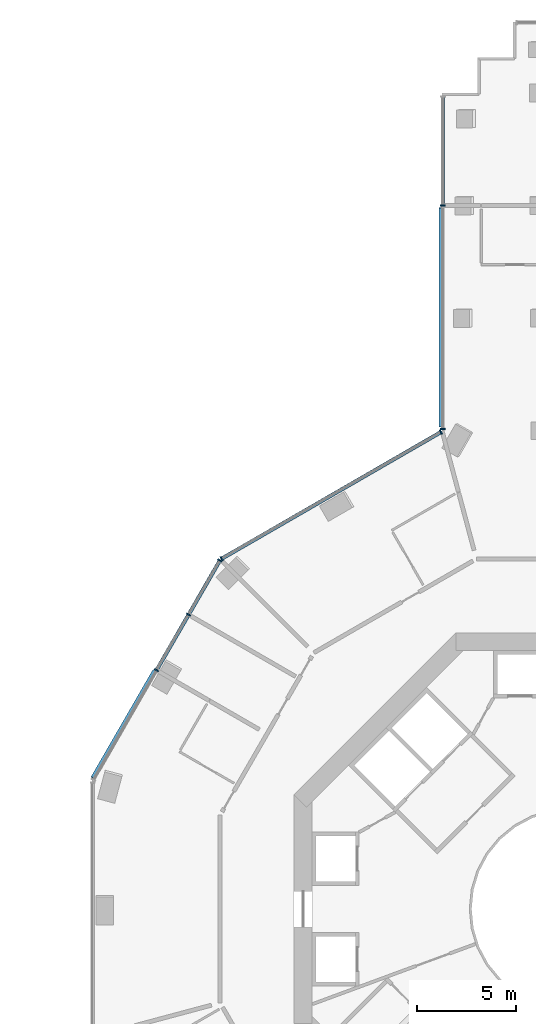
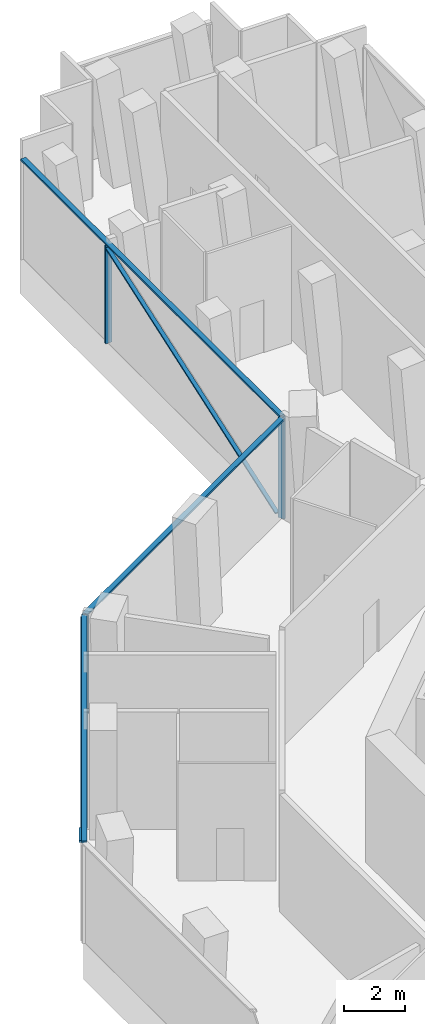
# One storey, part 4 of 16: 12 members, 3 elements without a shape of their own.
"""IFC4 building model written with IfcOpenShell, lengths in metres."""

import ifcopenshell
import ifcopenshell.guid

model = None  # the IFC model being written
_history = None  # IfcOwnerHistory: only IFC2X3 demands one
_inside = {}  # id of a spatial element -> (the spatial element, [elements in it])
_under = {}  # id of a project, library or spatial element -> (it, [spatial elements below it])
_declared = {}  # id of a project -> (the project, [libraries it declares])
_typed = {}  # id of a type object -> (the type object, [elements of that type])
_made_of = {}  # id of a material, layer set ... -> (it, [elements and type objects made of it])


def new_model(schema):
    """Start an empty IFC model of exactly this schema.

    Asked for "IFC4X3", IfcOpenShell would pick the latest addendum, in which some entities
    have other attributes; the version numbers below select the first issue.
    IFC2X3 requires an IfcOwnerHistory on every rooted entity: one is made here for all.
    """
    global model, _history
    if schema == "IFC4X3":
        model = ifcopenshell.file(schema_version=(4, 3, 0, 0))
    else:
        model = ifcopenshell.file(schema=schema)
    _inside.clear()
    _under.clear()
    _declared.clear()
    _typed.clear()
    _made_of.clear()
    _history = None
    if model.schema == "IFC2X3":
        org = make("IfcOrganization", Name="unknown")
        user = make(
            "IfcPersonAndOrganization",
            ThePerson=make("IfcPerson", FamilyName="unknown"),
            TheOrganization=org,
        )
        app = make(
            "IfcApplication",
            ApplicationDeveloper=org,
            Version="unknown",
            ApplicationFullName="unknown",
            ApplicationIdentifier="unknown",
        )
        _history = make(
            "IfcOwnerHistory",
            OwningUser=user,
            OwningApplication=app,
            ChangeAction="ADDED",
            CreationDate=0,
        )
    return model


def make(cls, **values):
    """One entity of the class cls with the attributes given. An attribute that is None is left unset."""
    return model.create_entity(
        cls, **{name: value for name, value in values.items() if value is not None}
    )


def rooted(cls, **values):
    """An entity with a GlobalId (a new one), such as an element, a storey or a relation."""
    return make(cls, GlobalId=ifcopenshell.guid.new(), OwnerHistory=_history, **values)


def si_unit(unit_type, name, prefix=None):
    """IfcSIUnit, for example si_unit("LENGTHUNIT", "METRE", prefix="MILLI")."""
    return make("IfcSIUnit", UnitType=unit_type, Prefix=prefix, Name=name)


def assignment(units):
    """IfcUnitAssignment: the units of a project."""
    return None if units is None else make("IfcUnitAssignment", Units=units)


def point(xyz):
    """IfcCartesianPoint."""
    return None if xyz is None else make("IfcCartesianPoint", Coordinates=xyz)


def direction(xyz):
    """IfcDirection."""
    return None if xyz is None else make("IfcDirection", DirectionRatios=xyz)


def frame(location, z_axis=None, x_axis=None):
    """IfcAxis2Placement3D, a coordinate frame: its origin and axes. An axis left out is left unset."""
    return make(
        "IfcAxis2Placement3D",
        Location=point(location),
        Axis=direction(z_axis),
        RefDirection=direction(x_axis),
    )


def frame_2d(location, x_axis=None):
    """IfcAxis2Placement2D, a coordinate frame in the plane: its origin and x axis."""
    return make(
        "IfcAxis2Placement2D", Location=point(location), RefDirection=direction(x_axis)
    )


def origin():
    """The frame at (0, 0, 0) with its axes left unset."""
    return frame((0.0, 0.0, 0.0))


def origin_2d():
    """The frame at (0, 0) in the plane with its x axis left unset."""
    return frame_2d((0.0, 0.0))


def place(relative_to, where):
    """IfcLocalPlacement: puts the frame where relative to a parent placement (None: the world)."""
    return make(
        "IfcLocalPlacement", PlacementRelTo=relative_to, RelativePlacement=where
    )


def context(
    kind, dimensions, precision=None, world=None, true_north=None, identifier=None
):
    """IfcGeometricRepresentationContext, for example the 3D "Model" context."""
    return make(
        "IfcGeometricRepresentationContext",
        ContextIdentifier=identifier,
        ContextType=kind,
        CoordinateSpaceDimension=dimensions,
        Precision=precision,
        WorldCoordinateSystem=world,
        TrueNorth=true_north,
    )


def subcontext(parent, identifier, kind, view, scale=None):
    """IfcGeometricRepresentationSubContext, for example "Body" below "Model"."""
    return make(
        "IfcGeometricRepresentationSubContext",
        ContextIdentifier=identifier,
        ContextType=kind,
        ParentContext=parent,
        TargetScale=scale,
        TargetView=view,
    )


def project(units=None, contexts=None):
    """IfcProject with its units and contexts."""
    return rooted(
        "IfcProject",
        Name="project",
        RepresentationContexts=contexts,
        UnitsInContext=assignment(units),
    )


def spatial(cls, under=None, at=None, **own):
    """A site, building, storey or space (cls), placed at a placement, below another one or the project."""
    s = rooted(cls, ObjectPlacement=at, **own)
    if under is not None:
        _under.setdefault(under.id(), (under, []))[1].append(s)
    return s


def profile(cls, at=None, kind="AREA", **sizes):
    """A parametric profile (cls). Its sizes go by their IFC names, for example OverallWidth=200.0."""
    return make(cls, ProfileType=kind, Position=at, **sizes)


def rectangle(**sizes):
    """IfcRectangleProfileDef."""
    return profile("IfcRectangleProfileDef", **sizes)


def extrude(swept, where, along, depth):
    """IfcExtrudedAreaSolid: the profile swept, set in the frame where, extruded along a direction by depth."""
    return make(
        "IfcExtrudedAreaSolid",
        SweptArea=swept,
        Position=where,
        ExtrudedDirection=direction(along),
        Depth=depth,
    )


def shape(context_of_items, identifier, shape_type, items):
    """IfcShapeRepresentation: the items that make up one representation, for example the "Body"."""
    return make(
        "IfcShapeRepresentation",
        ContextOfItems=context_of_items,
        RepresentationIdentifier=identifier,
        RepresentationType=shape_type,
        Items=items,
    )


def material(Name=None, Category=None):
    """IfcMaterial."""
    return make("IfcMaterial", Name=Name, Category=Category)


def layer(
    of_material, thickness, ventilated=None, Name=None, Category=None, Priority=None
):
    """IfcMaterialLayer: one layer of a wall or slab, of a material (None: an air gap)."""
    return make(
        "IfcMaterialLayer",
        Material=of_material,
        LayerThickness=thickness,
        IsVentilated=ventilated,
        Name=Name,
        Category=Category,
        Priority=Priority,
    )


def layer_set(layers, Name=None):
    """IfcMaterialLayerSet."""
    return make("IfcMaterialLayerSet", MaterialLayers=layers, LayerSetName=Name)


def material_profile(
    of_material, cross_section, Name=None, Category=None, Priority=None
):
    """IfcMaterialProfile: a cross section and its material."""
    return make(
        "IfcMaterialProfile",
        Name=Name,
        Material=of_material,
        Profile=cross_section,
        Priority=Priority,
        Category=Category,
    )


def profile_set(profiles, Name=None, composite=None):
    """IfcMaterialProfileSet."""
    return make(
        "IfcMaterialProfileSet",
        Name=Name,
        MaterialProfiles=profiles,
        CompositeProfile=composite,
    )


def made_of(thing, what):
    """Note that an element or type object is made of a material, layer set ...; save() writes the relation."""
    if what is not None:
        _made_of.setdefault(what.id(), (what, []))[1].append(thing)
    return thing


def type_object(cls, material=None, **own):
    """A type object (cls), such as IfcWallType, which elements share."""
    return made_of(rooted(cls, **own), material)


def element(
    cls,
    number,
    at=None,
    inside=None,
    cuts=None,
    type_object=None,
    material=None,
    context=None,
    identifier="Body",
    shape_type=None,
    held_by="IfcProductDefinitionShape",
    body=None,
    shapes=None,
    **own,
):
    """One element of the class cls, such as IfcWall. Its Tag is "e" and its number.

    at: its placement. inside: the storey or other place that contains it. cuts: it is an
    opening in that element (IfcRelVoidsElement). A single representation is given by context,
    identifier, shape_type and body (its items); several are given by shapes. held_by: the class
    of the entity that holds the representations. save() writes the other relations.
    """
    e = rooted(cls, Tag="e%d" % number, ObjectPlacement=at, **own)
    if body is not None:
        shapes = [shape(context, identifier, shape_type, body)]
    if shapes is not None:
        e.Representation = make(held_by, Representations=shapes)
    if inside is not None:
        _inside.setdefault(inside.id(), (inside, []))[1].append(e)
    if cuts is not None:
        rooted(
            "IfcRelVoidsElement", RelatingBuildingElement=cuts, RelatedOpeningElement=e
        )
    if type_object is not None:
        _typed.setdefault(type_object.id(), (type_object, []))[1].append(e)
    return made_of(e, material)


def aggregate(whole, parts):
    """IfcRelAggregates: a whole, such as a stair, and the parts it consists of."""
    return rooted("IfcRelAggregates", RelatingObject=whole, RelatedObjects=parts)


def save(model, path):
    """Write the relations noted so far, then the file.

    IfcRelAggregates (storeys below a building ...), IfcRelContainedInSpatialStructure (elements
    in a storey), IfcRelDefinesByType, IfcRelAssociatesMaterial and IfcRelDeclares: one each for
    every whole, place, type object, material and project.
    """
    for whole, parts in _under.values():
        aggregate(whole, parts)
    for where, things in _inside.values():
        rooted(
            "IfcRelContainedInSpatialStructure",
            RelatedElements=things,
            RelatingStructure=where,
        )
    for kind, things in _typed.values():
        rooted("IfcRelDefinesByType", RelatedObjects=things, RelatingType=kind)
    for what, things in _made_of.values():
        rooted("IfcRelAssociatesMaterial", RelatedObjects=things, RelatingMaterial=what)
    for by, libraries in _declared.values():
        rooted("IfcRelDeclares", RelatingContext=by, RelatedDefinitions=libraries)
    model.write(path)


model = new_model("IFC4")

# Units and contexts
model_context = context("Model", 3, precision=1e-05, world=origin(), true_north=direction((0.0, 1.0)))
body_context = subcontext(model_context, "Body", "Model", "MODEL_VIEW")
ifc_project = project(units=[si_unit("LENGTHUNIT", "METRE"), si_unit("AREAUNIT", "SQUARE_METRE"), si_unit("VOLUMEUNIT", "CUBIC_METRE"), si_unit("PLANEANGLEUNIT", "RADIAN"), si_unit("MASSUNIT", "GRAM", prefix="KILO")], contexts=[model_context])

# Site, building, storey
site_placement = place(None, origin())
site = spatial("IfcSite", under=ifc_project, at=site_placement, CompositionType="ELEMENT")
building_placement = place(site_placement, origin())
building = spatial("IfcBuilding", under=site, at=building_placement, Name="Verdalira Terraces Hotel", CompositionType="ELEMENT")
storey_placement = place(building_placement, frame((0.0, 0.0, 34.0)))
storey = spatial("IfcBuildingStorey", under=building, at=storey_placement, Name="L06", CompositionType="ELEMENT", Elevation=34.0)

# Curtain wall, members
ifc_material_1 = material(Name="Clear glass", Category="glass")
ifc_layer = layer(ifc_material_1, 0.239990234375)
ifc_layer_set = layer_set([ifc_layer], Name="CW5 curtain wall")
curtain_wall_type = type_object("IfcCurtainWallType", Name="CW5 curtain wall", PredefinedType="NOTDEFINED", material=ifc_layer_set)
curtain_wall_1_placement = place(storey_placement, origin())
curtain_wall_1 = element("IfcCurtainWall", 1, at=curtain_wall_1_placement, inside=storey, type_object=curtain_wall_type, Name="CW5 curtain wall L06 edge 10", PredefinedType="NOTDEFINED")
ifc_material_2 = material(Name="Terracotta frame", Category="masonry")
ifc_material_profile_1 = material_profile(ifc_material_2, rectangle(XDim=0.070068, YDim=0.23999, at=origin_2d()), Name="MU 70x240")
ifc_profile_set_1 = profile_set([ifc_material_profile_1], Name="Terracotta frame")
member_type_1 = type_object("IfcMemberType", Name="CW5 mullion 70x240", PredefinedType="MULLION", material=ifc_profile_set_1)
member_1_placement = place(storey_placement, frame((-6.469971, 35.686035, 0.0), z_axis=(0.0, 0.0, 1.0), x_axis=(0.0, -1.0, 0.0)))
member_1 = element("IfcMember", 2, at=member_1_placement, type_object=member_type_1, Name="CW5 mullion", PredefinedType="MULLION", context=body_context, shape_type="SweptSolid", body=[
    extrude(rectangle(XDim=0.070068, YDim=0.23999, at=origin_2d()), origin(), (0.0, 0.0, 1.0), 3.915039),
])
member_2_placement = place(storey_placement, frame((-6.469971, 24.345215, 0.0), z_axis=(0.0, 0.0, 1.0), x_axis=(0.0, -1.0, 0.0)))
member_2 = element("IfcMember", 3, at=member_2_placement, type_object=member_type_1, Name="CW5 mullion", PredefinedType="MULLION", context=body_context, shape_type="SweptSolid", body=[
    extrude(rectangle(XDim=0.070068, YDim=0.23999, at=origin_2d()), origin(), (0.0, 0.0, 1.0), 3.915039),
])

curtain_wall_2_placement = place(storey_placement, origin())
curtain_wall_2 = element("IfcCurtainWall", 4, at=curtain_wall_2_placement, inside=storey, type_object=curtain_wall_type, Name="CW5 curtain wall L06 edge 11", PredefinedType="NOTDEFINED")
member_3_placement = place(storey_placement, frame((-6.560303, 24.188965, 0.0), z_axis=(0.0, 0.0, 1.0), x_axis=(-0.866025404, -0.5, 0.0)))
member_3 = element("IfcMember", 5, at=member_3_placement, type_object=member_type_1, Name="CW5 mullion", PredefinedType="MULLION", context=body_context, shape_type="SweptSolid", body=[
    extrude(rectangle(XDim=0.070068, YDim=0.23999, at=origin_2d()), origin(), (0.0, 0.0, 1.0), 3.915039),
])
member_4_placement = place(storey_placement, frame((-17.678223, 17.77002, 0.0), z_axis=(0.0, 0.0, 1.0), x_axis=(-0.866025404, -0.5, 0.0)))
member_4 = element("IfcMember", 6, at=member_4_placement, type_object=member_type_1, Name="CW5 mullion", PredefinedType="MULLION", context=body_context, shape_type="SweptSolid", body=[
    extrude(rectangle(XDim=0.070068, YDim=0.23999, at=origin_2d()), origin(), (0.0, 0.0, 1.0), 3.915039),
])

curtain_wall_3_placement = place(storey_placement, origin())
curtain_wall_3 = element("IfcCurtainWall", 7, at=curtain_wall_3_placement, inside=storey, type_object=curtain_wall_type, Name="CW5 curtain wall L06 edge 12", PredefinedType="NOTDEFINED")
member_5_placement = place(storey_placement, frame((-17.77002, 17.678223, 0.0), z_axis=(0.0, 0.0, 1.0), x_axis=(-0.5, -0.866025404, 0.0)))
member_5 = element("IfcMember", 8, at=member_5_placement, type_object=member_type_1, Name="CW5 mullion", PredefinedType="MULLION", context=body_context, shape_type="SweptSolid", body=[
    extrude(rectangle(XDim=0.070068, YDim=0.23999, at=origin_2d()), origin(), (0.0, 0.0, 1.0), 3.915039),
])
member_6_placement = place(storey_placement, frame((-19.357422, 14.928711, 0.0), z_axis=(0.0, 0.0, 1.0), x_axis=(-0.5, -0.866025404, 0.0)))
member_6 = element("IfcMember", 9, at=member_6_placement, type_object=member_type_1, Name="CW5 mullion", PredefinedType="MULLION", context=body_context, shape_type="SweptSolid", body=[
    extrude(rectangle(XDim=0.070068, YDim=0.23999, at=origin_2d()), origin(), (0.0, 0.0, 1.0), 3.915039),
])
member_7_placement = place(storey_placement, frame((-20.982422, 12.114258, 0.0), z_axis=(0.0, 0.0, 1.0), x_axis=(-0.5, -0.866025404, 0.0)))
member_7 = element("IfcMember", 10, at=member_7_placement, type_object=member_type_1, Name="CW5 mullion", PredefinedType="MULLION", context=body_context, shape_type="SweptSolid", body=[
    extrude(rectangle(XDim=0.070068, YDim=0.23999, at=origin_2d()), origin(), (0.0, 0.0, 1.0), 3.915039),
])

# Member
ifc_material_3 = material(Name="Terracotta frame", Category="masonry")
ifc_material_profile_2 = material_profile(ifc_material_3, rectangle(XDim=0.189941, YDim=0.074951, at=origin_2d()), Name="TR 75x190")
ifc_profile_set_2 = profile_set([ifc_material_profile_2], Name="Terracotta frame")
member_type_2 = type_object("IfcMemberType", Name="CW5 transom 75x190", PredefinedType="USERDEFINED", material=ifc_profile_set_2)
member_8_placement = place(storey_placement, frame((-6.469971, 41.25, 3.952393), z_axis=(0.0, -1.0, 0.0), x_axis=(1.0, 0.0, 0.0)))
member_8 = element("IfcMember", 11, at=member_8_placement, type_object=member_type_2, Name="CW5 transom", ObjectType="TRANSOM", PredefinedType="USERDEFINED", context=body_context, shape_type="SweptSolid", body=[
    extrude(rectangle(XDim=0.189941, YDim=0.074951, at=origin_2d()), origin(), (0.0, 0.0, 1.0), 16.939697),
])

member_9_placement = place(storey_placement, frame((-6.530029, 24.206299, 3.952393), z_axis=(-0.866026524, -0.49999806, 0.0), x_axis=(0.49999806, -0.866026524, 0.0)))
member_9 = element("IfcMember", 12, at=member_9_placement, type_object=member_type_2, Name="CW5 transom", ObjectType="TRANSOM", PredefinedType="USERDEFINED", context=body_context, shape_type="SweptSolid", body=[
    extrude(rectangle(XDim=0.189941, YDim=0.074951, at=origin_2d()), origin(), (0.0, 0.0, 1.0), 12.907715),
])

aggregate(curtain_wall_2, [member_3, member_4, member_9])

member_10_placement = place(storey_placement, frame((-17.752441, 17.708496, 3.952393), z_axis=(-0.499994537, -0.866028558, 0.0), x_axis=(0.866028558, -0.499994537, 0.0)))
member_10 = element("IfcMember", 13, at=member_10_placement, type_object=member_type_2, Name="CW5 transom", ObjectType="TRANSOM", PredefinedType="USERDEFINED", context=body_context, shape_type="SweptSolid", body=[
    extrude(rectangle(XDim=0.189941, YDim=0.074951, at=origin_2d()), origin(), (0.0, 0.0, 1.0), 12.919678),
])

ifc_material_4 = material(Name="Terracotta frame", Category="masonry")
ifc_material_profile_3 = material_profile(ifc_material_4, rectangle(XDim=0.149902, YDim=0.060059, at=origin_2d()), Name="GB 60x150")
ifc_profile_set_3 = profile_set([ifc_material_profile_3], Name="Terracotta frame")
member_type_3 = type_object("IfcMemberType", Name="Diagonal glazing bar 60x150", PredefinedType="USERDEFINED", material=ifc_profile_set_3)
member_11_placement = place(storey_placement, frame((-6.566895, 35.567627, 3.885986), z_axis=(0.0, -0.944635132, -0.328122641), x_axis=(1.0, 0.0, 0.0)))
member_11 = element("IfcMember", 14, at=member_11_placement, type_object=member_type_3, Name="Diagonal glazing bar", ObjectType="GLAZING BAR", PredefinedType="USERDEFINED", context=body_context, shape_type="SweptSolid", body=[
    extrude(rectangle(XDim=0.149902, YDim=0.060059, at=origin_2d()), origin(), (0.0, 0.0, 1.0), 11.754639),
])

aggregate(curtain_wall_1, [member_1, member_2, member_8, member_11])

member_12_placement = place(storey_placement, frame((-21.105469, 12.094971, 0.026611), z_axis=(-0.425701165, -0.737333783, 0.52451636), x_axis=(0.866024739, -0.500001151, 0.0)))
member_12 = element("IfcMember", 15, at=member_12_placement, type_object=member_type_3, Name="Diagonal glazing bar", ObjectType="GLAZING BAR", PredefinedType="USERDEFINED", context=body_context, shape_type="SweptSolid", body=[
    extrude(rectangle(XDim=0.149902, YDim=0.060059, at=origin_2d()), origin(), (0.0, 0.0, 1.0), 7.362549),
])

aggregate(curtain_wall_3, [member_5, member_6, member_7, member_10, member_12])

save(model, "model.ifc")
